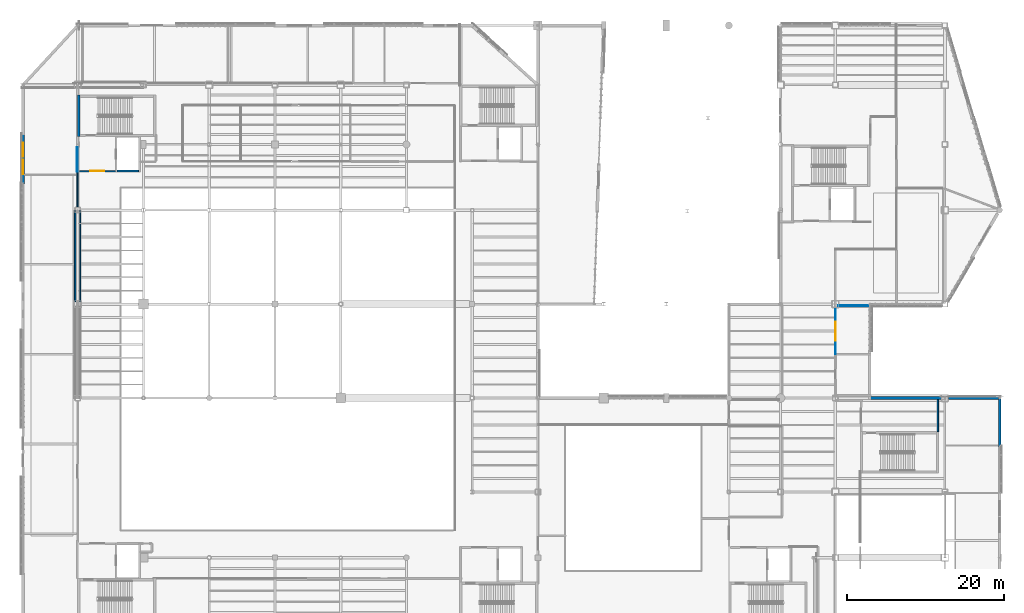
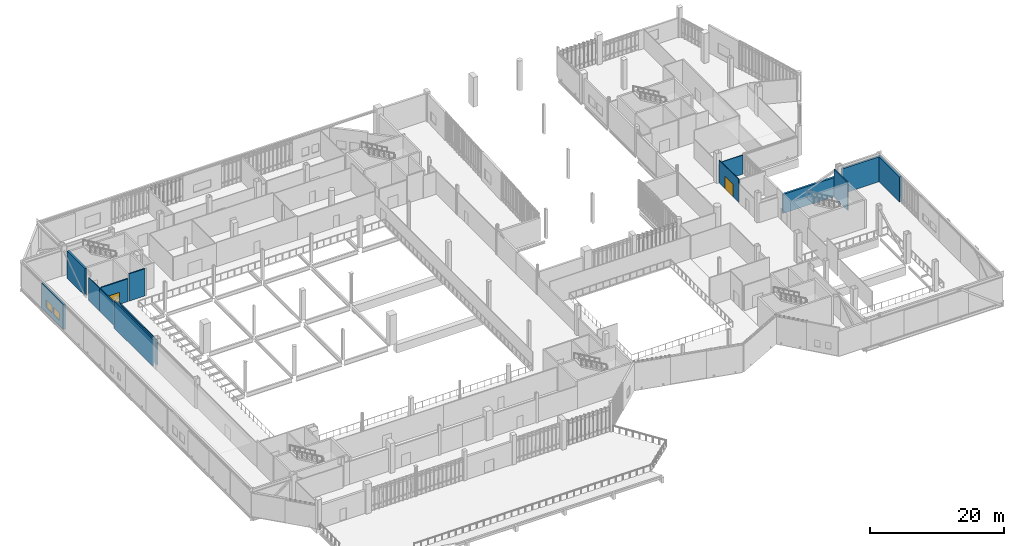
# One storey, part 108 of 127: 14 walls, 2 doors, 2 windows, 4 openings.
"""IFC4 building model written with IfcOpenShell, lengths in metres."""

from ifc_helpers import new_model, si_unit, direction, frame, frame_2d, origin, place, context, subcontext, project, spatial, rectangle, extrude, material, layer, layer_set, type_object, element, fill, save


model = new_model("IFC4")

# Units and contexts
model_context = context("Model", 3, precision=1e-05, world=origin(), true_north=direction((0.0, 1.0)))
body_context = subcontext(model_context, "Body", "Model", "MODEL_VIEW")
ifc_project = project(units=[si_unit("LENGTHUNIT", "METRE"), si_unit("AREAUNIT", "SQUARE_METRE"), si_unit("VOLUMEUNIT", "CUBIC_METRE"), si_unit("PLANEANGLEUNIT", "RADIAN"), si_unit("MASSUNIT", "GRAM", prefix="KILO")], contexts=[model_context])

# Site, building, storey
site_placement = place(None, origin())
site = spatial("IfcSite", under=ifc_project, at=site_placement, CompositionType="ELEMENT")
building_placement = place(site_placement, origin())
building = spatial("IfcBuilding", under=site, at=building_placement, Name="Larkvane Passage Sports Hall", CompositionType="ELEMENT")
storey_placement = place(building_placement, frame((0.0, 0.0, 5.39990234375)))
storey = spatial("IfcBuildingStorey", under=building, at=storey_placement, Name="L01", CompositionType="ELEMENT", Elevation=5.39990234375)

# Wall
ifc_material_1 = material(Name="Concrete C50/60", Category="concrete")
ifc_layer_1 = layer(ifc_material_1, 0.340087890625)
ifc_layer_set_1 = layer_set([ifc_layer_1], Name="Concrete C50/60")
wall_type_1 = type_object("IfcWallType", Name="WL-CORE-EXT-340", PredefinedType="SHEAR", material=ifc_layer_set_1)
wall_1_placement = place(storey_placement, frame((34.949951171875, 85.0, 0.0), z_axis=(0.0, 0.0, 1.0), x_axis=(0.0, 1.0, 0.0)))
element("IfcWall", 1, at=wall_1_placement, inside=storey, type_object=wall_type_1, Name="Core shear wall WAL-CORE-C2-L01-W", PredefinedType="SHEAR", context=body_context, shape_type="SweptSolid", body=[
    extrude(rectangle(XDim=5.300048828125, YDim=0.300048828125, at=frame_2d((2.64990234375, 0.0))), origin(), (0.0, 0.0, 1.0), 4.97998046875),
])

# Wall, openings, windows
ifc_material_2 = material(Name="Precast concrete C45/55", Category="concrete")
ifc_layer_2 = layer(ifc_material_2, 0.344970703125)
ifc_layer_set_2 = layer_set([ifc_layer_2], Name="Precast concrete C45/55")
wall_type_2 = type_object("IfcWallType", Name="WL-EXT-345", PredefinedType="SOLIDWALL", material=ifc_layer_set_2)
wall_2_placement = place(storey_placement, frame((27.800048828125, 78.92529296875, 0.0), z_axis=(0.0, 0.0, 1.0), x_axis=(0.0, 1.0, 0.0)))
wall_2 = element("IfcWall", 2, at=wall_2_placement, inside=storey, type_object=wall_type_2, Name="Exterior wall WAL-EXT-L01-068", PredefinedType="SOLIDWALL", context=body_context, shape_type="SweptSolid", body=[
    extrude(rectangle(XDim=6.585693359375, YDim=0.344970703125, at=frame_2d((3.29296875, 0.0))), origin(), (0.0, 0.0, 1.0), 4.578125),
])
opening_1_placement = place(wall_2_placement, frame((1.294921875, 0.0, 0.89990234375)))
opening_1 = element("IfcOpeningElement", 3, at=opening_1_placement, cuts=wall_2, Name="Opening W-10", PredefinedType="OPENING", context=body_context, shape_type="SweptSolid", body=[
    extrude(rectangle(XDim=1.800048828125, YDim=1.35009765625, at=frame_2d((0.89990234375, 0.675048828125))), frame((0.0, 0.182373046875, 0.0), z_axis=(0.0, -1.0, 0.0), x_axis=(1.0, 0.0, 0.0)), (0.0, 0.0, 1.0), 0.364990234375),
])
opening_2_placement = place(wall_2_placement, frame((3.489990234375, 0.0, 0.89990234375)))
opening_2 = element("IfcOpeningElement", 4, at=opening_2_placement, cuts=wall_2, Name="Opening W-10", PredefinedType="OPENING", context=body_context, shape_type="SweptSolid", body=[
    extrude(rectangle(XDim=1.800048828125, YDim=1.35009765625, at=frame_2d((0.89990234375, 0.675048828125))), frame((0.0, 0.182373046875, 0.0), z_axis=(0.0, -1.0, 0.0), x_axis=(1.0, 0.0, 0.0)), (0.0, 0.0, 1.0), 0.364990234375),
])
ifc_material_3 = material(Name="Thermally broken aluminium and laminated low-E glass", Category="aluminium")
window_type = type_object("IfcWindowType", Name="WN-CAS-1800x1350", PartitioningType="DOUBLE_PANEL_VERTICAL", PredefinedType="WINDOW", material=ifc_material_3)
window_1_placement = place(opening_1_placement, origin())
window_1 = element("IfcWindow", 5, at=window_1_placement, inside=storey, type_object=window_type, Name="Window L01-017", OverallHeight=1.35009765625, OverallWidth=1.800048828125, PartitioningType="DOUBLE_PANEL_VERTICAL", PredefinedType="WINDOW", context=body_context, shape_type="SweptSolid", body=[
    extrude(rectangle(XDim=1.800048828125, YDim=1.35009765625, at=frame_2d((0.89990234375, 0.675048828125))), frame((0.0, 0.030029296875, 0.0), z_axis=(0.0, -1.0, 0.0), x_axis=(1.0, 0.0, 0.0)), (0.0, 0.0, 1.0), 0.06005859375),
])
fill(opening_1, window_1)
window_2_placement = place(opening_2_placement, origin())
window_2 = element("IfcWindow", 6, at=window_2_placement, inside=storey, type_object=window_type, Name="Window L01-018", OverallHeight=1.35009765625, OverallWidth=1.800048828125, PartitioningType="DOUBLE_PANEL_VERTICAL", PredefinedType="WINDOW", context=body_context, shape_type="SweptSolid", body=[
    extrude(rectangle(XDim=1.800048828125, YDim=1.35009765625, at=frame_2d((0.89990234375, 0.675048828125))), frame((0.0, 0.030029296875, 0.0), z_axis=(0.0, -1.0, 0.0), x_axis=(1.0, 0.0, 0.0)), (0.0, 0.0, 1.0), 0.06005859375),
])
fill(opening_2, window_2)

# Walls
wall_3_placement = place(storey_placement, frame((135.83447265625, 51.60009765625, 0.0), z_axis=(0.0, 0.0, 1.0), x_axis=(1.0, 0.0, 0.0)))
element("IfcWall", 7, at=wall_3_placement, inside=storey, type_object=wall_type_2, Name="Exterior wall WAL-EXT-L01-095", PredefinedType="SOLIDWALL", context=body_context, shape_type="SweptSolid", body=[
    extrude(rectangle(XDim=9.319580078125, YDim=0.344970703125, at=frame_2d((4.65966796875, 0.0))), origin(), (0.0, 0.0, 1.0), 3.468017578125),
])
wall_4_placement = place(storey_placement, frame((146.0458984375, 51.60009765625, 0.0), z_axis=(0.0, 0.0, 1.0), x_axis=(1.0, 0.0, 0.0)))
element("IfcWall", 8, at=wall_4_placement, inside=storey, type_object=wall_type_2, Name="Exterior wall WAL-EXT-L01-096", PredefinedType="SOLIDWALL", context=body_context, shape_type="SweptSolid", body=[
    extrude(rectangle(XDim=6.7197265625, YDim=0.344970703125, at=frame_2d((3.35986328125, 0.0))), origin(), (0.0, 0.0, 1.0), 4.550048828125),
])
wall_5_placement = place(storey_placement, frame((152.60009765625, 51.765625, 0.0), z_axis=(0.0, 0.0, 1.0), x_axis=(0.0, -1.0, 0.0)))
element("IfcWall", 9, at=wall_5_placement, inside=storey, type_object=wall_type_2, Name="Exterior wall WAL-EXT-L01-097", PredefinedType="SOLIDWALL", context=body_context, shape_type="SweptSolid", body=[
    extrude(rectangle(XDim=6.39794921875, YDim=0.344970703125, at=frame_2d((3.198974609375, 0.0))), origin(), (0.0, 0.0, 1.0), 4.550048828125),
])

# Wall, opening, door
ifc_material_4 = material(Name="Concrete C40/50", Category="concrete")
ifc_layer_3 = layer(ifc_material_4, 0.199951171875)
ifc_layer_set_3 = layer_set([ifc_layer_3], Name="Concrete C40/50")
wall_type_3 = type_object("IfcWallType", Name="WL-LOBBY-200", PredefinedType="SOLIDWALL", material=ifc_layer_set_3)
wall_6_placement = place(storey_placement, frame((35.0, 80.60009765625, 0.0), z_axis=(0.0, 0.0, 1.0), x_axis=(1.0, 0.0, 0.0)))
wall_6 = element("IfcWall", 10, at=wall_6_placement, inside=storey, type_object=wall_type_3, Name="Protected stair lobby wall C2 L01", PredefinedType="SOLIDWALL", context=body_context, shape_type="SweptSolid", body=[
    extrude(rectangle(XDim=4.60009765625, YDim=0.199951171875, at=frame_2d((2.300048828125, 0.0))), origin(), (0.0, 0.0, 1.0), 4.177978515625),
])
opening_3_placement = place(wall_6_placement, frame((1.39990234375, 0.0, 0.0)))
opening_3 = element("IfcOpeningElement", 11, at=opening_3_placement, cuts=wall_6, Name="Opening DF-02", PredefinedType="OPENING", context=body_context, shape_type="SweptSolid", body=[
    extrude(rectangle(XDim=1.800048828125, YDim=2.199951171875, at=frame_2d((0.89990234375, 1.10009765625))), frame((0.0, 0.10986328125, 0.0), z_axis=(0.0, -1.0, 0.0), x_axis=(1.0, 0.0, 0.0)), (0.0, 0.0, 1.0), 0.219970703125),
])
ifc_material_5 = material(Name="Steel S355JR double smoke-sealed fire door", Category="steel")
door_type_1 = type_object("IfcDoorType", Name="DR-FIRE-1800", OperationType="DOUBLE_DOOR_SINGLE_SWING", PredefinedType="DOOR", material=ifc_material_5)
door_1_placement = place(opening_3_placement, origin())
door_1 = element("IfcDoor", 12, at=door_1_placement, inside=storey, type_object=door_type_1, Name="Lobby smoke door C2 L01", OperationType="DOUBLE_DOOR_SINGLE_SWING", OverallHeight=2.199951171875, OverallWidth=1.800048828125, PredefinedType="DOOR", context=body_context, shape_type="SweptSolid", body=[
    extrude(rectangle(XDim=1.800048828125, YDim=2.199951171875, at=frame_2d((0.89990234375, 1.10009765625))), frame((0.0, 0.02490234375, 0.0), z_axis=(0.0, -1.0, 0.0), x_axis=(1.0, 0.0, 0.0)), (0.0, 0.0, 1.0), 0.050048828125),
])
fill(opening_3, door_1)

# Walls
wall_7_placement = place(storey_placement, frame((144.699951171875, 47.300048828125, 0.0), z_axis=(0.0, 0.0, 1.0), x_axis=(0.0, 1.0, 0.0)))
element("IfcWall", 13, at=wall_7_placement, inside=storey, type_object=wall_type_3, Name="Lobby east enclosure wall C7 L01", PredefinedType="SOLIDWALL", context=body_context, shape_type="SweptSolid", body=[
    extrude(rectangle(XDim=4.099853515625, YDim=0.199951171875, at=frame_2d((2.0498046875, 0.0))), origin(), (0.0, 0.0, 1.0), 5.050048828125),
])
ifc_material_6 = material(Name="Gypsum twin-stud fire-rated partition")
ifc_layer_4 = layer(ifc_material_6, 0.125)
ifc_layer_set_4 = layer_set([ifc_layer_4], Name="Gypsum twin-stud fire-rated partition")
wall_type_4 = type_object("IfcWallType", Name="WL-PART-125", PredefinedType="PARTITIONING", material=ifc_layer_set_4)
wall_8_placement = place(storey_placement, frame((34.739990234375, 83.666015625, 0.0), z_axis=(0.0, 0.0, 1.0), x_axis=(0.0, -1.0, 0.0)))
element("IfcWall", 14, at=wall_8_placement, inside=storey, type_object=wall_type_4, Name="Interior partition WAL-PART-L01-0112", PredefinedType="PARTITIONING", context=body_context, shape_type="SweptSolid", body=[
    extrude(rectangle(XDim=3.166015625, YDim=0.125, at=frame_2d((1.5830078125, 0.0))), origin(), (0.0, 0.0, 1.0), 4.177978515625),
])

# Wall, opening, door
wall_9_placement = place(storey_placement, frame((131.6201171875, 57.219970703125, 0.0), z_axis=(0.0, 0.0, 1.0), x_axis=(0.0, 1.0, 0.0)))
wall_9 = element("IfcWall", 15, at=wall_9_placement, inside=storey, type_object=wall_type_4, Name="Interior partition WAL-PART-L01-0158", PredefinedType="PARTITIONING", context=body_context, shape_type="SweptSolid", body=[
    extrude(rectangle(XDim=5.85595703125, YDim=0.125, at=frame_2d((2.927978515625, 0.0))), origin(), (0.0, 0.0, 1.0), 4.177978515625),
])
opening_4_placement = place(wall_9_placement, frame((1.72802734375, 0.0, 0.0)))
opening_4 = element("IfcOpeningElement", 16, at=opening_4_placement, cuts=wall_9, Name="Opening FD-01", PredefinedType="OPENING", context=body_context, shape_type="SweptSolid", body=[
    extrude(rectangle(XDim=2.39990234375, YDim=2.300048828125, at=frame_2d((1.199951171875, 1.14990234375))), frame((0.0, 0.072509765625, 0.0), z_axis=(0.0, -1.0, 0.0), x_axis=(1.0, 0.0, 0.0)), (0.0, 0.0, 1.0), 0.14501953125),
])
ifc_material_7 = material(Name="Bi-fold steel S355JR equipment store door", Category="steel")
door_type_2 = type_object("IfcDoorType", Name="DR-FOLD-2400", OperationType="FOLDING_TO_LEFT", PredefinedType="DOOR", material=ifc_material_7)
door_2_placement = place(opening_4_placement, origin())
door_2 = element("IfcDoor", 17, at=door_2_placement, inside=storey, type_object=door_type_2, Name="Interior door L01-0059", OperationType="FOLDING_TO_LEFT", OverallHeight=2.300048828125, OverallWidth=2.39990234375, PredefinedType="DOOR", context=body_context, shape_type="SweptSolid", body=[
    extrude(rectangle(XDim=2.39990234375, YDim=2.300048828125, at=frame_2d((1.199951171875, 1.14990234375))), frame((0.0, 0.02490234375, 0.0), z_axis=(0.0, -1.0, 0.0), x_axis=(1.0, 0.0, 0.0)), (0.0, 0.0, 1.0), 0.050048828125),
])
fill(opening_4, door_2)

# Walls
wall_10_placement = place(storey_placement, frame((131.944091796875, 63.39990234375, 0.0), z_axis=(0.0, 0.0, 1.0), x_axis=(1.0, 0.0, 0.0)))
element("IfcWall", 18, at=wall_10_placement, inside=storey, type_object=wall_type_4, Name="Interior partition WAL-PART-L01-0159", PredefinedType="PARTITIONING", context=body_context, shape_type="SweptSolid", body=[
    extrude(rectangle(XDim=3.8759765625, YDim=0.125, at=frame_2d((1.93798828125, 0.0))), origin(), (0.0, 0.0, 1.0), 3.47021484375),
])
ifc_material_8 = material(Name="Gypsum acoustic partition")
ifc_layer_5 = layer(ifc_material_8, 0.14990234375)
ifc_layer_set_5 = layer_set([ifc_layer_5], Name="Gypsum acoustic partition")
wall_type_5 = type_object("IfcWallType", Name="WL-PART-150", PredefinedType="PARTITIONING", material=ifc_layer_set_5)
wall_11_placement = place(storey_placement, frame((34.780029296875, 80.760009765625, 0.0), z_axis=(0.0, 0.0, 1.0), x_axis=(0.0, -1.0, 0.0)))
element("IfcWall", 19, at=wall_11_placement, inside=storey, type_object=wall_type_5, Name="Interior partition WAL-PART-L01-0113", PredefinedType="PARTITIONING", context=body_context, shape_type="SweptSolid", body=[
    extrude(rectangle(XDim=4.820068359375, YDim=0.14990234375, at=frame_2d((2.41015625, 0.0))), origin(), (0.0, 0.0, 1.0), 4.177978515625),
])
wall_12_placement = place(storey_placement, frame((35.139892578125, 63.924072265625, 0.0), z_axis=(0.0, 0.0, 1.0), x_axis=(0.0, 1.0, 0.0)))
element("IfcWall", 20, at=wall_12_placement, inside=storey, type_object=wall_type_5, Name="Interior partition WAL-PART-L01-0161", PredefinedType="PARTITIONING", context=body_context, shape_type="SweptSolid", body=[
    extrude(rectangle(XDim=11.676025390625, YDim=0.14990234375, at=frame_2d((5.837890625, 0.0))), origin(), (0.0, 0.0, 1.0), 4.570068359375),
])
ifc_material_9 = material(Name="Gypsum high-bay court partition")
ifc_layer_6 = layer(ifc_material_9, 0.179931640625)
ifc_layer_set_6 = layer_set([ifc_layer_6], Name="Gypsum high-bay court partition")
wall_type_6 = type_object("IfcWallType", Name="WL-PART-180", PredefinedType="PARTITIONING", material=ifc_layer_set_6)
wall_13_placement = place(storey_placement, frame((34.4599609375, 75.60009765625, 0.0), z_axis=(0.0, 0.0, 1.0), x_axis=(0.0, -1.0, 0.0)))
element("IfcWall", 21, at=wall_13_placement, inside=storey, type_object=wall_type_6, Name="Interior partition WAL-PART-L01-0114", PredefinedType="PARTITIONING", context=body_context, shape_type="SweptSolid", body=[
    extrude(rectangle(XDim=11.676025390625, YDim=0.179931640625, at=frame_2d((5.837890625, 0.0))), origin(), (0.0, 0.0, 1.0), 4.97998046875),
])
ifc_layer_7 = layer(ifc_material_4, 0.219970703125)
ifc_layer_set_7 = layer_set([ifc_layer_7], Name="Concrete C40/50")
wall_type_7 = type_object("IfcWallType", Name="WL-SHAFT-220", PredefinedType="SOLIDWALL", material=ifc_layer_set_7)
wall_14_placement = place(storey_placement, frame((39.820068359375, 80.610107421875, 0.0), z_axis=(0.0, 0.0, 1.0), x_axis=(1.0, 0.0, 0.0)))
element("IfcWall", 22, at=wall_14_placement, inside=storey, type_object=wall_type_7, Name="Lift shaft end wall L-03 L01", PredefinedType="SOLIDWALL", context=body_context, shape_type="SweptSolid", body=[
    extrude(rectangle(XDim=2.760009765625, YDim=0.219970703125, at=frame_2d((1.3798828125, 0.0))), origin(), (0.0, 0.0, 1.0), 4.97998046875),
])

save(model, "model.ifc")
